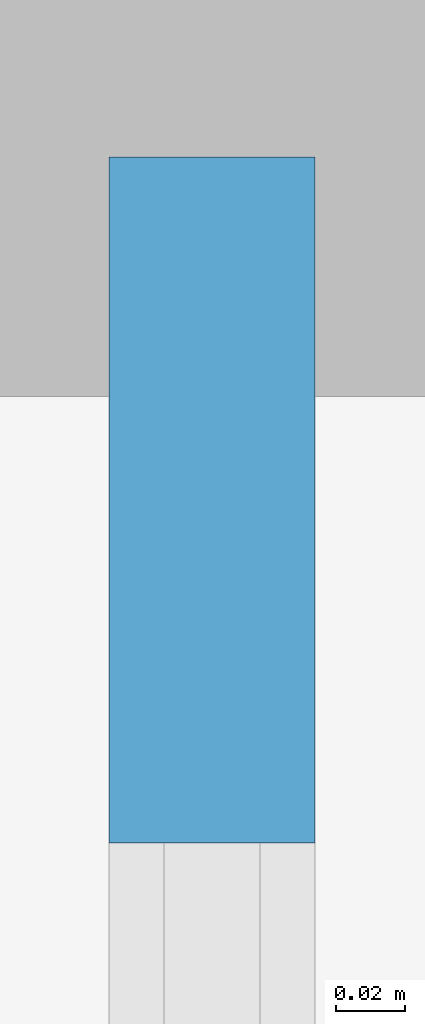
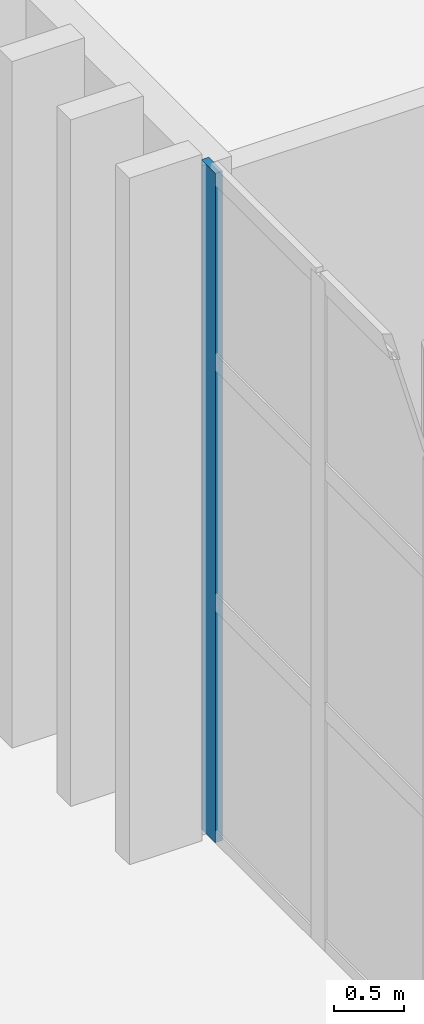
# One storey, part 43 of 108: 1 member, 1 element without a shape of its own.
"""IFC4 building model written with IfcOpenShell, lengths in metres."""

from ifc_helpers import new_model, si_unit, direction, frame, origin, origin_2d, place, context, subcontext, project, spatial, rectangle, extrude, material, material_profile, profile_set, type_object, element, aggregate, save


model = new_model("IFC4")

# Units and contexts
model_context = context("Model", 3, precision=1e-05, world=origin(), true_north=direction((0.0, 1.0)))
body_context = subcontext(model_context, "Body", "Model", "MODEL_VIEW")
ifc_project = project(units=[si_unit("LENGTHUNIT", "METRE"), si_unit("AREAUNIT", "SQUARE_METRE"), si_unit("VOLUMEUNIT", "CUBIC_METRE"), si_unit("PLANEANGLEUNIT", "RADIAN"), si_unit("MASSUNIT", "GRAM", prefix="KILO")], contexts=[model_context])

# Site, building, storey
site_placement = place(None, origin())
site = spatial("IfcSite", under=ifc_project, at=site_placement, CompositionType="ELEMENT")
building_placement = place(site_placement, origin())
building = spatial("IfcBuilding", under=site, at=building_placement, Name="Cresset Court Congress Hotel", CompositionType="ELEMENT")
storey_placement = place(building_placement, origin())
storey = spatial("IfcBuildingStorey", under=building, at=storey_placement, Name="L00", CompositionType="ELEMENT", Elevation=0.0)

# Curtain wall, member
ifc_material_1 = material(Name="Aluminium and glass", Category="aluminium")
curtain_wall_type = type_object("IfcCurtainWallType", Name="Curtain wall 1680 module", PredefinedType="NOTDEFINED", material=ifc_material_1)
curtain_wall_placement = place(storey_placement, origin())
curtain_wall = element("IfcCurtainWall", 1, at=curtain_wall_placement, inside=storey, type_object=curtain_wall_type, Name="Garden restaurant glazing west", PredefinedType="NOTDEFINED")
ifc_material_2 = material(Name="Anodised aluminium", Category="aluminium")
ifc_material_profile = material_profile(ifc_material_2, rectangle(XDim=0.06005859375, YDim=0.199951171875, at=origin_2d()), Name="RECT60x200")
ifc_profile_set = profile_set([ifc_material_profile], Name="Anodised aluminium")
member_type = type_object("IfcMemberType", Name="Curtain wall mullion 60x200", PredefinedType="MULLION", material=ifc_profile_set)
member_placement = place(storey_placement, frame((156.800048828125, 53.27001953125, 0.0), z_axis=(0.0, 0.0, 1.0), x_axis=(-1.0, 0.0, 0.0)))
member = element("IfcMember", 2, at=member_placement, type_object=member_type, Name="A-X1 mullion 8", PredefinedType="MULLION", context=body_context, shape_type="SweptSolid", body=[
    extrude(rectangle(XDim=0.06005859375, YDim=0.199951171875, at=origin_2d()), origin(), (0.0, 0.0, 1.0), 5.85009765625),
])
aggregate(curtain_wall, [member])

save(model, "model.ifc")
